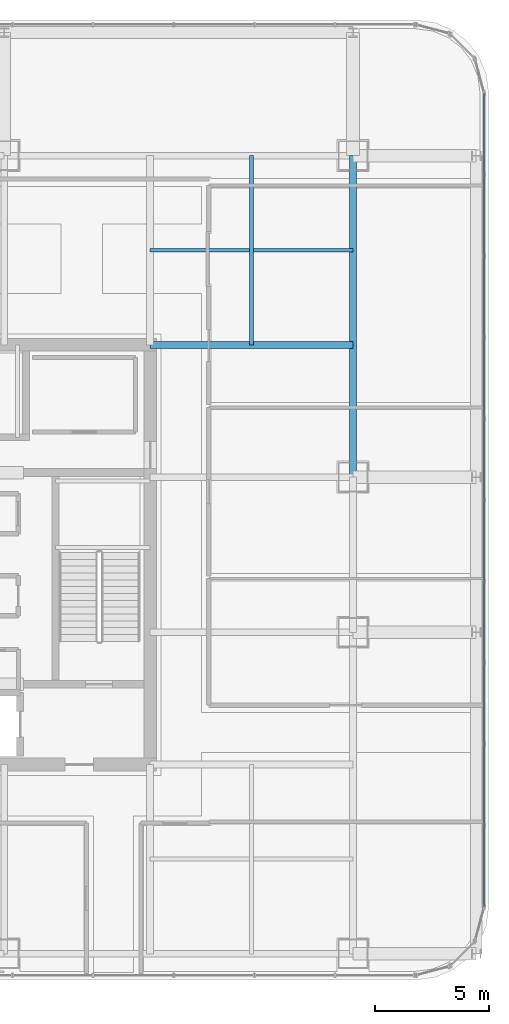
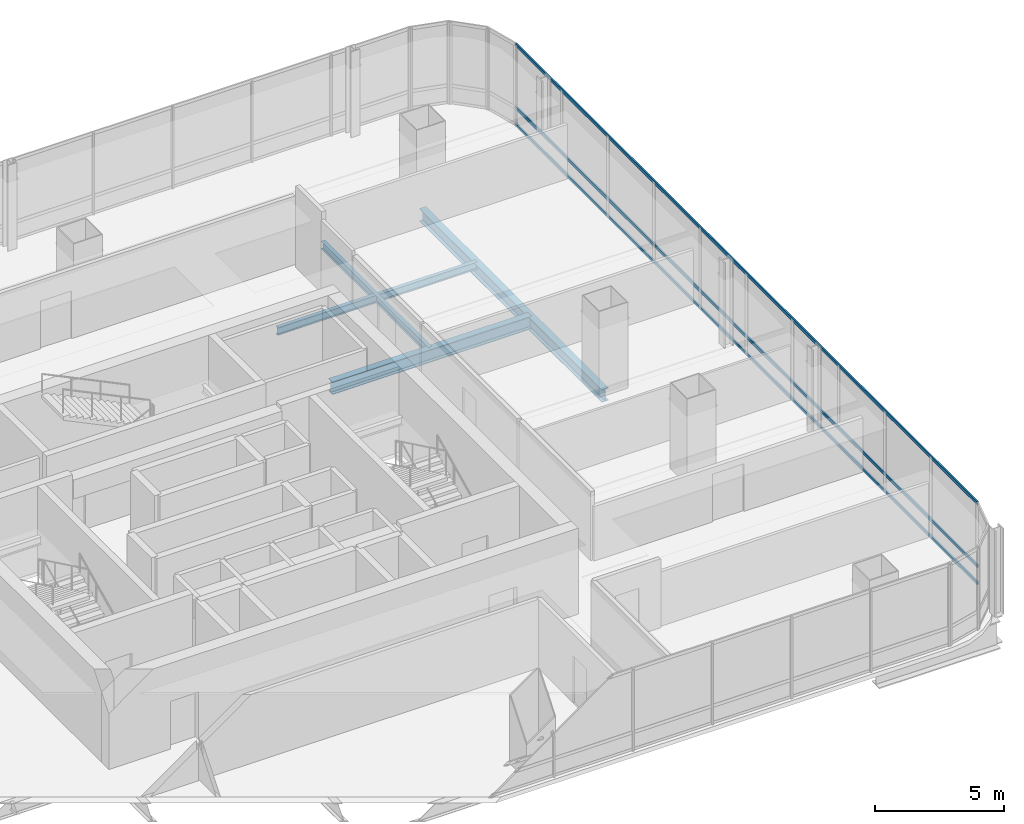
# One storey, part 20 of 42: 4 beams, 3 members, 1 element without a shape of its own.
"""IFC4 building model written with IfcOpenShell, lengths in metres."""

import ifcopenshell
import ifcopenshell.guid

model = None  # the IFC model being written
_history = None  # IfcOwnerHistory: only IFC2X3 demands one
_inside = {}  # id of a spatial element -> (the spatial element, [elements in it])
_under = {}  # id of a project, library or spatial element -> (it, [spatial elements below it])
_declared = {}  # id of a project -> (the project, [libraries it declares])
_typed = {}  # id of a type object -> (the type object, [elements of that type])
_made_of = {}  # id of a material, layer set ... -> (it, [elements and type objects made of it])


def new_model(schema):
    """Start an empty IFC model of exactly this schema.

    Asked for "IFC4X3", IfcOpenShell would pick the latest addendum, in which some entities
    have other attributes; the version numbers below select the first issue.
    IFC2X3 requires an IfcOwnerHistory on every rooted entity: one is made here for all.
    """
    global model, _history
    if schema == "IFC4X3":
        model = ifcopenshell.file(schema_version=(4, 3, 0, 0))
    else:
        model = ifcopenshell.file(schema=schema)
    _inside.clear()
    _under.clear()
    _declared.clear()
    _typed.clear()
    _made_of.clear()
    _history = None
    if model.schema == "IFC2X3":
        org = make("IfcOrganization", Name="unknown")
        user = make(
            "IfcPersonAndOrganization",
            ThePerson=make("IfcPerson", FamilyName="unknown"),
            TheOrganization=org,
        )
        app = make(
            "IfcApplication",
            ApplicationDeveloper=org,
            Version="unknown",
            ApplicationFullName="unknown",
            ApplicationIdentifier="unknown",
        )
        _history = make(
            "IfcOwnerHistory",
            OwningUser=user,
            OwningApplication=app,
            ChangeAction="ADDED",
            CreationDate=0,
        )
    return model


def make(cls, **values):
    """One entity of the class cls with the attributes given. An attribute that is None is left unset."""
    return model.create_entity(
        cls, **{name: value for name, value in values.items() if value is not None}
    )


def rooted(cls, **values):
    """An entity with a GlobalId (a new one), such as an element, a storey or a relation."""
    return make(cls, GlobalId=ifcopenshell.guid.new(), OwnerHistory=_history, **values)


def si_unit(unit_type, name, prefix=None):
    """IfcSIUnit, for example si_unit("LENGTHUNIT", "METRE", prefix="MILLI")."""
    return make("IfcSIUnit", UnitType=unit_type, Prefix=prefix, Name=name)


def assignment(units):
    """IfcUnitAssignment: the units of a project."""
    return None if units is None else make("IfcUnitAssignment", Units=units)


def point(xyz):
    """IfcCartesianPoint."""
    return None if xyz is None else make("IfcCartesianPoint", Coordinates=xyz)


def direction(xyz):
    """IfcDirection."""
    return None if xyz is None else make("IfcDirection", DirectionRatios=xyz)


def frame(location, z_axis=None, x_axis=None):
    """IfcAxis2Placement3D, a coordinate frame: its origin and axes. An axis left out is left unset."""
    return make(
        "IfcAxis2Placement3D",
        Location=point(location),
        Axis=direction(z_axis),
        RefDirection=direction(x_axis),
    )


def frame_2d(location, x_axis=None):
    """IfcAxis2Placement2D, a coordinate frame in the plane: its origin and x axis."""
    return make(
        "IfcAxis2Placement2D", Location=point(location), RefDirection=direction(x_axis)
    )


def origin():
    """The frame at (0, 0, 0) with its axes left unset."""
    return frame((0.0, 0.0, 0.0))


def origin_2d():
    """The frame at (0, 0) in the plane with its x axis left unset."""
    return frame_2d((0.0, 0.0))


def place(relative_to, where):
    """IfcLocalPlacement: puts the frame where relative to a parent placement (None: the world)."""
    return make(
        "IfcLocalPlacement", PlacementRelTo=relative_to, RelativePlacement=where
    )


def context(
    kind, dimensions, precision=None, world=None, true_north=None, identifier=None
):
    """IfcGeometricRepresentationContext, for example the 3D "Model" context."""
    return make(
        "IfcGeometricRepresentationContext",
        ContextIdentifier=identifier,
        ContextType=kind,
        CoordinateSpaceDimension=dimensions,
        Precision=precision,
        WorldCoordinateSystem=world,
        TrueNorth=true_north,
    )


def subcontext(parent, identifier, kind, view, scale=None):
    """IfcGeometricRepresentationSubContext, for example "Body" below "Model"."""
    return make(
        "IfcGeometricRepresentationSubContext",
        ContextIdentifier=identifier,
        ContextType=kind,
        ParentContext=parent,
        TargetScale=scale,
        TargetView=view,
    )


def project(units=None, contexts=None):
    """IfcProject with its units and contexts."""
    return rooted(
        "IfcProject",
        Name="project",
        RepresentationContexts=contexts,
        UnitsInContext=assignment(units),
    )


def spatial(cls, under=None, at=None, **own):
    """A site, building, storey or space (cls), placed at a placement, below another one or the project."""
    s = rooted(cls, ObjectPlacement=at, **own)
    if under is not None:
        _under.setdefault(under.id(), (under, []))[1].append(s)
    return s


def profile(cls, at=None, kind="AREA", **sizes):
    """A parametric profile (cls). Its sizes go by their IFC names, for example OverallWidth=200.0."""
    return make(cls, ProfileType=kind, Position=at, **sizes)


def hollow_rectangle(**sizes):
    """IfcRectangleHollowProfileDef."""
    return profile("IfcRectangleHollowProfileDef", **sizes)


def i_section(**sizes):
    """IfcIShapeProfileDef."""
    return profile("IfcIShapeProfileDef", **sizes)


def extrude(swept, where, along, depth):
    """IfcExtrudedAreaSolid: the profile swept, set in the frame where, extruded along a direction by depth."""
    return make(
        "IfcExtrudedAreaSolid",
        SweptArea=swept,
        Position=where,
        ExtrudedDirection=direction(along),
        Depth=depth,
    )


def shape(context_of_items, identifier, shape_type, items):
    """IfcShapeRepresentation: the items that make up one representation, for example the "Body"."""
    return make(
        "IfcShapeRepresentation",
        ContextOfItems=context_of_items,
        RepresentationIdentifier=identifier,
        RepresentationType=shape_type,
        Items=items,
    )


def material(Name=None, Category=None):
    """IfcMaterial."""
    return make("IfcMaterial", Name=Name, Category=Category)


def material_profile(
    of_material, cross_section, Name=None, Category=None, Priority=None
):
    """IfcMaterialProfile: a cross section and its material."""
    return make(
        "IfcMaterialProfile",
        Name=Name,
        Material=of_material,
        Profile=cross_section,
        Priority=Priority,
        Category=Category,
    )


def profile_set(profiles, Name=None, composite=None):
    """IfcMaterialProfileSet."""
    return make(
        "IfcMaterialProfileSet",
        Name=Name,
        MaterialProfiles=profiles,
        CompositeProfile=composite,
    )


def made_of(thing, what):
    """Note that an element or type object is made of a material, layer set ...; save() writes the relation."""
    if what is not None:
        _made_of.setdefault(what.id(), (what, []))[1].append(thing)
    return thing


def type_object(cls, material=None, **own):
    """A type object (cls), such as IfcWallType, which elements share."""
    return made_of(rooted(cls, **own), material)


def element(
    cls,
    number,
    at=None,
    inside=None,
    cuts=None,
    type_object=None,
    material=None,
    context=None,
    identifier="Body",
    shape_type=None,
    held_by="IfcProductDefinitionShape",
    body=None,
    shapes=None,
    **own,
):
    """One element of the class cls, such as IfcWall. Its Tag is "e" and its number.

    at: its placement. inside: the storey or other place that contains it. cuts: it is an
    opening in that element (IfcRelVoidsElement). A single representation is given by context,
    identifier, shape_type and body (its items); several are given by shapes. held_by: the class
    of the entity that holds the representations. save() writes the other relations.
    """
    e = rooted(cls, Tag="e%d" % number, ObjectPlacement=at, **own)
    if body is not None:
        shapes = [shape(context, identifier, shape_type, body)]
    if shapes is not None:
        e.Representation = make(held_by, Representations=shapes)
    if inside is not None:
        _inside.setdefault(inside.id(), (inside, []))[1].append(e)
    if cuts is not None:
        rooted(
            "IfcRelVoidsElement", RelatingBuildingElement=cuts, RelatedOpeningElement=e
        )
    if type_object is not None:
        _typed.setdefault(type_object.id(), (type_object, []))[1].append(e)
    return made_of(e, material)


def aggregate(whole, parts):
    """IfcRelAggregates: a whole, such as a stair, and the parts it consists of."""
    return rooted("IfcRelAggregates", RelatingObject=whole, RelatedObjects=parts)


def save(model, path):
    """Write the relations noted so far, then the file.

    IfcRelAggregates (storeys below a building ...), IfcRelContainedInSpatialStructure (elements
    in a storey), IfcRelDefinesByType, IfcRelAssociatesMaterial and IfcRelDeclares: one each for
    every whole, place, type object, material and project.
    """
    for whole, parts in _under.values():
        aggregate(whole, parts)
    for where, things in _inside.values():
        rooted(
            "IfcRelContainedInSpatialStructure",
            RelatedElements=things,
            RelatingStructure=where,
        )
    for kind, things in _typed.values():
        rooted("IfcRelDefinesByType", RelatedObjects=things, RelatingType=kind)
    for what, things in _made_of.values():
        rooted("IfcRelAssociatesMaterial", RelatedObjects=things, RelatingMaterial=what)
    for by, libraries in _declared.values():
        rooted("IfcRelDeclares", RelatingContext=by, RelatedDefinitions=libraries)
    model.write(path)


model = new_model("IFC4")

# Units and contexts
model_context = context("Model", 3, precision=1e-05, world=origin(), true_north=direction((0.0, 1.0)))
body_context = subcontext(model_context, "Body", "Model", "MODEL_VIEW")
ifc_project = project(units=[si_unit("LENGTHUNIT", "METRE"), si_unit("AREAUNIT", "SQUARE_METRE"), si_unit("VOLUMEUNIT", "CUBIC_METRE"), si_unit("PLANEANGLEUNIT", "RADIAN"), si_unit("MASSUNIT", "GRAM", prefix="KILO")], contexts=[model_context])

# Site, building, storey
site_placement = place(None, origin())
site = spatial("IfcSite", under=ifc_project, at=site_placement, CompositionType="ELEMENT")
building_placement = place(site_placement, origin())
building = spatial("IfcBuilding", under=site, at=building_placement, Name="Punatoya Terracotta Tower", CompositionType="ELEMENT")
storey_placement = place(building_placement, frame((0.0, 0.0, 259.5)))
storey = spatial("IfcBuildingStorey", under=building, at=storey_placement, Name="L61", CompositionType="ELEMENT", Elevation=259.5)

# Beams
ifc_material_1 = material(Name="Steel S355", Category="steel")
ifc_material_profile_1 = material_profile(ifc_material_1, i_section(OverallWidth=0.300048828125, OverallDepth=0.60009765625, WebThickness=0.015380859375, FlangeThickness=0.030029296875, FilletRadius=0.01806640625, at=origin_2d()))
ifc_profile_set_1 = profile_set([ifc_material_profile_1], Name="Steel S355")
beam_type_1 = type_object("IfcBeamType", Name="BM-PRI-600", PredefinedType="BEAM", material=ifc_profile_set_1)
beam_1_placement = place(storey_placement, frame((19.10009765625, 3.39990234375, -0.5), z_axis=(0.0, 1.0, 0.0), x_axis=(-1.0, 0.0, 0.0)))
element("IfcBeam", 1, at=beam_1_placement, inside=storey, type_object=beam_type_1, Name="BM-L61-RG-E3", PredefinedType="BEAM", context=body_context, shape_type="SweptSolid", body=[
    extrude(i_section(OverallWidth=0.300048828125, OverallDepth=0.60009765625, WebThickness=0.015380859375, FlangeThickness=0.030029296875, FilletRadius=0.01806640625, at=origin_2d()), origin(), (0.0, 0.0, 1.0), 14.10009765625),
])
beam_2_placement = place(storey_placement, frame((10.199951171875, 9.199951171875, -0.5), z_axis=(1.0, 0.0, 0.0), x_axis=(0.0, 1.0, 0.0)))
element("IfcBeam", 2, at=beam_2_placement, inside=storey, type_object=beam_type_1, Name="BM-L61-PR-EN", PredefinedType="BEAM", context=body_context, shape_type="SweptSolid", body=[
    extrude(i_section(OverallWidth=0.300048828125, OverallDepth=0.60009765625, WebThickness=0.015380859375, FlangeThickness=0.030029296875, FilletRadius=0.01806640625, at=origin_2d()), origin(), (0.0, 0.0, 1.0), 8.900146484375),
])
ifc_material_profile_2 = material_profile(ifc_material_1, i_section(OverallWidth=0.169921875, OverallDepth=0.360107421875, WebThickness=0.008056640625, FlangeThickness=0.0126953125, FilletRadius=0.01806640625, at=origin_2d()))
ifc_profile_set_2 = profile_set([ifc_material_profile_2], Name="Steel S355")
beam_type_2 = type_object("IfcBeamType", Name="BM-SEC-360", PredefinedType="JOIST", material=ifc_profile_set_2)
beam_3_placement = place(storey_placement, frame((10.199951171875, 13.35009765625, -0.3798828125), z_axis=(1.0, 0.0, 0.0), x_axis=(0.0, 1.0, 0.0)))
element("IfcBeam", 3, at=beam_3_placement, inside=storey, type_object=beam_type_2, Name="BM-L61-SJN-2", PredefinedType="JOIST", context=body_context, shape_type="SweptSolid", body=[
    extrude(i_section(OverallWidth=0.169921875, OverallDepth=0.360107421875, WebThickness=0.008056640625, FlangeThickness=0.0126953125, FilletRadius=0.01806640625, at=origin_2d()), origin(), (0.0, 0.0, 1.0), 8.900146484375),
])
beam_4_placement = place(storey_placement, frame((14.64990234375, 9.199951171875, -0.3798828125), z_axis=(0.0, 1.0, 0.0), x_axis=(-1.0, 0.0, 0.0)))
element("IfcBeam", 4, at=beam_4_placement, inside=storey, type_object=beam_type_2, Name="BM-L61-SJE-2", PredefinedType="JOIST", context=body_context, shape_type="SweptSolid", body=[
    extrude(i_section(OverallWidth=0.169921875, OverallDepth=0.360107421875, WebThickness=0.008056640625, FlangeThickness=0.0126953125, FilletRadius=0.01806640625, at=origin_2d()), origin(), (0.0, 0.0, 1.0), 8.300048828125),
])

# Curtain wall, members
ifc_material_2 = material(Name="Aluminium 6063-T6 + Double Low-E Glass", Category="aluminium")
curtain_wall_type = type_object("IfcCurtainWallType", Name="CW-M3", PredefinedType="NOTDEFINED", material=ifc_material_2)
curtain_wall_placement = place(storey_placement, origin())
curtain_wall = element("IfcCurtainWall", 5, at=curtain_wall_placement, inside=storey, type_object=curtain_wall_type, Name="L61 Curtain Wall CW-L61-E05-1", PredefinedType="NOTDEFINED")
ifc_material_3 = material(Name="Aluminium 6063-T6", Category="aluminium")
ifc_material_profile_3 = material_profile(ifc_material_3, hollow_rectangle(XDim=0.068115234375, YDim=0.14990234375, WallThickness=0.00390625, at=origin_2d()))
ifc_profile_set_3 = profile_set([ifc_material_profile_3], Name="Aluminium 6063-T6")
member_type = type_object("IfcMemberType", Name="CW-TRN-TYP", PredefinedType="USERDEFINED", material=ifc_profile_set_3)
member_1_placement = place(storey_placement, frame((24.85009765625, -15.43701171875, 0.0400390625), z_axis=(0.0, 1.0, 0.0), x_axis=(-1.0, 0.0, 0.0)))
member_1 = element("IfcMember", 6, at=member_1_placement, type_object=member_type, Name="CW-L61-E05-1 Transom 1", ObjectType="TRANSOM", PredefinedType="USERDEFINED", context=body_context, shape_type="SweptSolid", body=[
    extrude(hollow_rectangle(XDim=0.068115234375, YDim=0.14990234375, WallThickness=0.00390625, at=origin_2d()), origin(), (0.0, 0.0, 1.0), 35.673828125),
])
member_2_placement = place(storey_placement, frame((24.85009765625, -15.43701171875, 0.85009765625), z_axis=(0.0, 1.0, 0.0), x_axis=(-1.0, 0.0, 0.0)))
member_2 = element("IfcMember", 7, at=member_2_placement, type_object=member_type, Name="CW-L61-E05-1 Transom 2", ObjectType="TRANSOM", PredefinedType="USERDEFINED", context=body_context, shape_type="SweptSolid", body=[
    extrude(hollow_rectangle(XDim=0.068115234375, YDim=0.14990234375, WallThickness=0.00390625, at=origin_2d()), origin(), (0.0, 0.0, 1.0), 35.673828125),
])
member_3_placement = place(storey_placement, frame((24.85009765625, -15.43701171875, 3.81005859375), z_axis=(0.0, 1.0, 0.0), x_axis=(-1.0, 0.0, 0.0)))
member_3 = element("IfcMember", 8, at=member_3_placement, type_object=member_type, Name="CW-L61-E05-1 Transom 3", ObjectType="TRANSOM", PredefinedType="USERDEFINED", context=body_context, shape_type="SweptSolid", body=[
    extrude(hollow_rectangle(XDim=0.068115234375, YDim=0.14990234375, WallThickness=0.00390625, at=origin_2d()), origin(), (0.0, 0.0, 1.0), 35.673828125),
])
aggregate(curtain_wall, [member_1, member_2, member_3])

save(model, "model.ifc")
